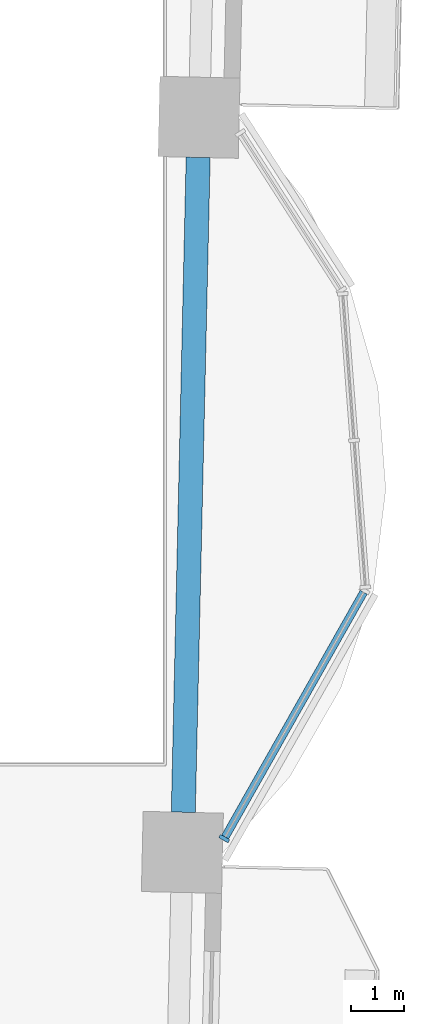
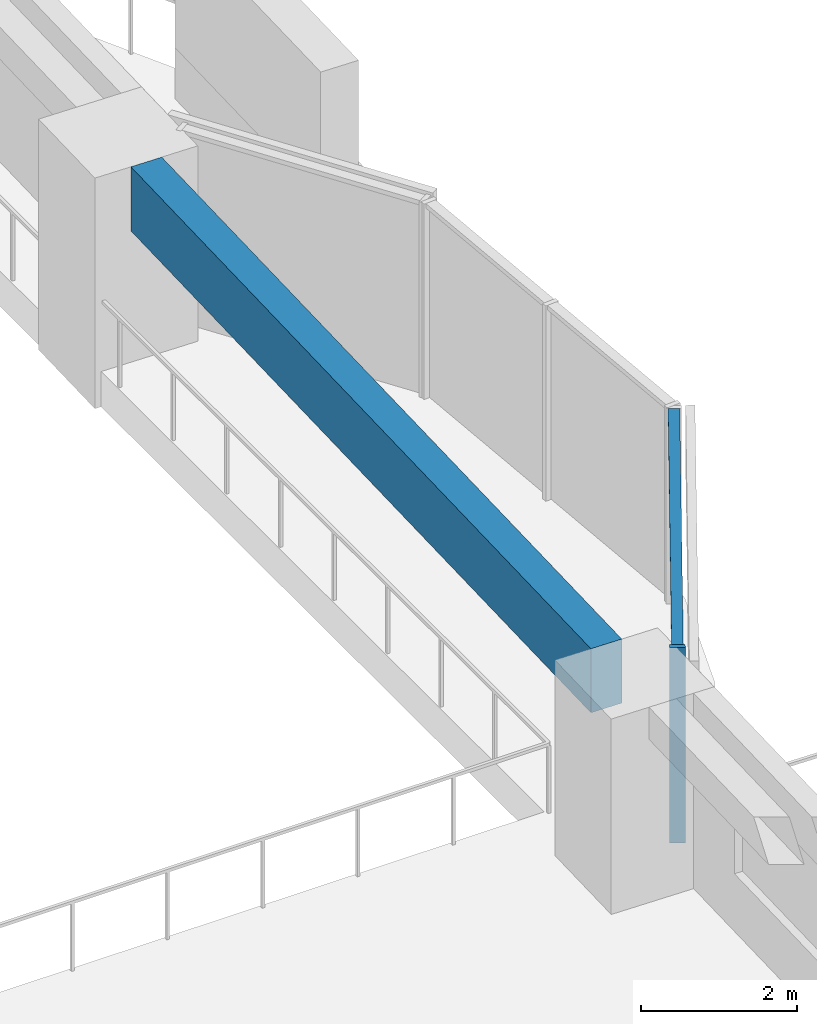
# One storey, part 2 of 19: 2 members, 1 beam, 1 element without a shape of its own.
"""IFC4 building model written with IfcOpenShell, lengths in metres."""

from ifc_helpers import new_model, si_unit, direction, frame, origin, origin_2d, place, context, subcontext, project, spatial, rectangle, extrude, material, material_profile, profile_set, type_object, element, aggregate, save


model = new_model("IFC4")

# Units and contexts
model_context = context("Model", 3, precision=1e-05, world=origin(), true_north=direction((0.0, 1.0)))
body_context = subcontext(model_context, "Body", "Model", "MODEL_VIEW")
ifc_project = project(units=[si_unit("LENGTHUNIT", "METRE"), si_unit("AREAUNIT", "SQUARE_METRE"), si_unit("VOLUMEUNIT", "CUBIC_METRE"), si_unit("PLANEANGLEUNIT", "RADIAN"), si_unit("MASSUNIT", "GRAM", prefix="KILO")], contexts=[model_context])

# Site, building, storey
site_placement = place(None, origin())
site = spatial("IfcSite", under=ifc_project, at=site_placement, CompositionType="ELEMENT")
building_placement = place(site_placement, origin())
building = spatial("IfcBuilding", under=site, at=building_placement, Name="Mangrove Gate Tower", CompositionType="ELEMENT")
storey_placement = place(building_placement, frame((0.0, 0.0, 63.89990234375)))
storey = spatial("IfcBuildingStorey", under=building, at=storey_placement, Name="L15", CompositionType="ELEMENT", Elevation=63.89990234375)

# Curtain wall, members
ifc_material_1 = material(Name="Aluminium and glass curtain wall", Category="aluminium")
curtain_wall_type = type_object("IfcCurtainWallType", Name="Atrium garden-court glazing wall", PredefinedType="NOTDEFINED", material=ifc_material_1)
curtain_wall_placement = place(storey_placement, origin())
curtain_wall = element("IfcCurtainWall", 1, at=curtain_wall_placement, inside=storey, type_object=curtain_wall_type, Name="Atrium garden-court glazing E1f1", PredefinedType="NOTDEFINED")
ifc_material_2 = material(Name="Aluminium alloy 6063-T6", Category="aluminium")
ifc_material_profile_1 = material_profile(ifc_material_2, rectangle(XDim=0.070068359375, YDim=0.199951171875, at=origin_2d()))
ifc_profile_set_1 = profile_set([ifc_material_profile_1], Name="Aluminium alloy 6063-T6")
member_type_1 = type_object("IfcMemberType", Name="Atrium garden-court glazing mullion 70x200", PredefinedType="MULLION", material=ifc_profile_set_1)
member_1_placement = place(storey_placement, frame((31.036865234375, -8.91943359375, 0.0), z_axis=(0.0, 0.0, 1.0), x_axis=(0.492603686489, 0.870253760726, 0.0)))
member_1 = element("IfcMember", 2, at=member_1_placement, type_object=member_type_1, Name="CWA mullion 1", PredefinedType="MULLION", context=body_context, shape_type="SweptSolid", body=[
    extrude(rectangle(XDim=0.070068359375, YDim=0.199951171875, at=origin_2d()), origin(), (0.0, 0.0, 1.0), 3.050048828125),
])
ifc_material_3 = material(Name="Aluminium alloy 6063-T6", Category="aluminium")
ifc_material_profile_2 = material_profile(ifc_material_3, rectangle(XDim=0.070068359375, YDim=0.14990234375, at=origin_2d()))
ifc_profile_set_2 = profile_set([ifc_material_profile_2], Name="Aluminium alloy 6063-T6")
member_type_2 = type_object("IfcMemberType", Name="Atrium garden-court glazing transom 70x150", PredefinedType="USERDEFINED", material=ifc_profile_set_2)
member_2_placement = place(storey_placement, frame((31.053955078125, -8.88916015625, 3.01513671875), z_axis=(0.492620111865, 0.870244463002, 0.0), x_axis=(0.0, 0.0, 1.0)))
member_2 = element("IfcMember", 3, at=member_2_placement, type_object=member_type_2, Name="CWA transom 1.2", ObjectType="TRANSOM", PredefinedType="USERDEFINED", context=body_context, shape_type="SweptSolid", body=[
    extrude(rectangle(XDim=0.070068359375, YDim=0.14990234375, at=origin_2d()), origin(), (0.0, 0.0, 1.0), 5.2587890625),
])
aggregate(curtain_wall, [member_1, member_2])

# Beam
ifc_material_4 = material(Name="Concrete C50/60", Category="concrete")
ifc_material_profile_3 = material_profile(ifc_material_4, rectangle(XDim=0.449951171875, YDim=1.0, at=origin_2d()))
ifc_profile_set_3 = profile_set([ifc_material_profile_3], Name="Concrete C50/60")
beam_type = type_object("IfcBeamType", Name="Edge beam RC 450x1000 C50/60", PredefinedType="BEAM", material=ifc_profile_set_3)
beam_placement = place(storey_placement, frame((30.271240234375, -8.42724609375, 2.550048828125), z_axis=(0.022678852378, 0.999742801752, 0.0), x_axis=(-0.999742801752, 0.022678852378, 0.0)))
element("IfcBeam", 4, at=beam_placement, inside=storey, type_object=beam_type, Name="Edge beam L15 16", PredefinedType="BEAM", context=body_context, shape_type="SweptSolid", body=[
    extrude(rectangle(XDim=0.449951171875, YDim=1.0, at=origin_2d()), origin(), (0.0, 0.0, 1.0), 12.250732421875),
])

save(model, "model.ifc")
